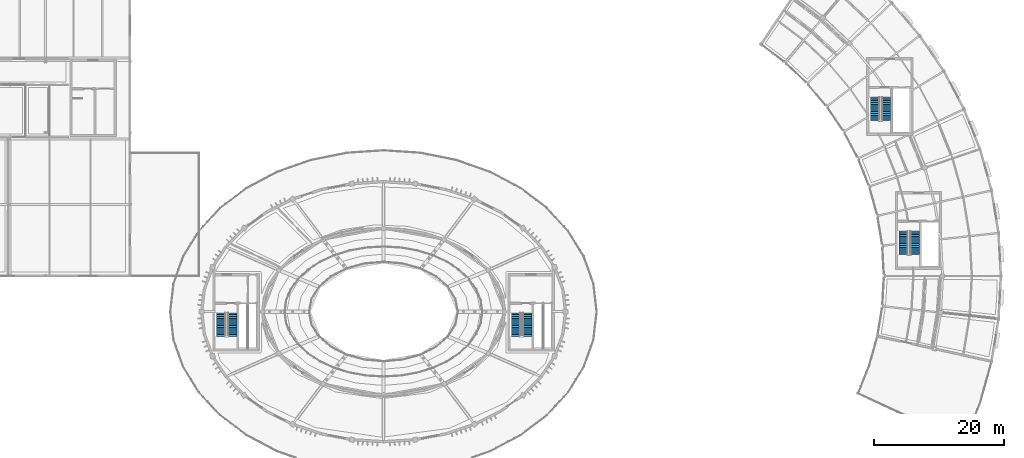
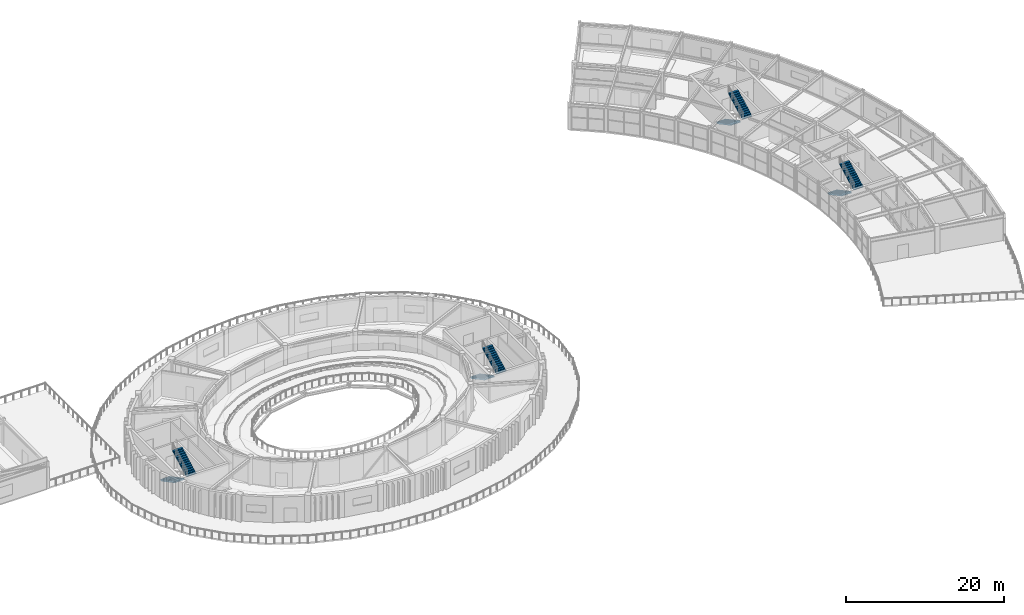
# One storey, part 51 of 63: 8 stair flights, 4 elements without a shape of their own.
"""IFC4 building model written with IfcOpenShell, lengths in metres."""

from ifc_helpers import new_model, si_unit, direction, frame, origin, place, context, subcontext, project, spatial, polyline, outline, extrude, material, type_object, element, aggregate, save


model = new_model("IFC4")

# Units and contexts
model_context = context("Model", 3, precision=1e-05, world=origin(), true_north=direction((0.0, 1.0)))
body_context = subcontext(model_context, "Body", "Model", "MODEL_VIEW")
ifc_project = project(units=[si_unit("LENGTHUNIT", "METRE"), si_unit("AREAUNIT", "SQUARE_METRE"), si_unit("VOLUMEUNIT", "CUBIC_METRE"), si_unit("PLANEANGLEUNIT", "RADIAN"), si_unit("MASSUNIT", "GRAM", prefix="KILO")], contexts=[model_context])

# Site, building, storey
site_placement = place(None, origin())
site = spatial("IfcSite", under=ifc_project, at=site_placement, CompositionType="ELEMENT")
building_placement = place(site_placement, origin())
building = spatial("IfcBuilding", under=site, at=building_placement, Name="Tarnveldt Headland Concert Hall", CompositionType="ELEMENT")
storey_placement = place(building_placement, frame((0.0, 0.0, 14.39990234375)))
storey = spatial("IfcBuildingStorey", under=building, at=storey_placement, Name="L03", CompositionType="ELEMENT", Elevation=14.39990234375)

# Stair, stair flights
ifc_material = material(Name="Concrete C40/50", Category="concrete")
stair_type = type_object("IfcStairType", Name="ST-CORE420", PredefinedType="HALF_TURN_STAIR", material=ifc_material)
stair_1_placement = place(storey_placement, origin())
stair_1 = element("IfcStair", 1, at=stair_1_placement, inside=storey, type_object=stair_type, Name="Exit stair STR-C1-L03", PredefinedType="HALF_TURN_STAIR")
stair_flight_type = type_object("IfcStairFlightType", Name="SF-140x150", PredefinedType="STRAIGHT", material=ifc_material)
stair_flight_1_placement = place(storey_placement, frame((58.489990234375, 54.320068359375, 0.0), z_axis=(0.0, 0.0, 1.0), x_axis=(0.0, -1.0, 0.0)))
stair_flight_1 = element("IfcStairFlight", 2, at=stair_flight_1_placement, type_object=stair_flight_type, Name="Stair flight STR-C1-L03-F1", NumberOfRisers=14, NumberOfTreads=13, PredefinedType="STRAIGHT", RiserHeight=0.15, TreadLength=0.28, context=body_context, shape_type="SweptSolid", body=[
    extrude(outline(polyline([(0.0, 0.0), (0.0, 0.14990234375), (0.280029296875, 0.14990234375), (0.280029296875, 0.300048828125), (0.56005859375, 0.300048828125), (0.56005859375, 0.449951171875), (0.840087890625, 0.449951171875), (0.840087890625, 0.60009765625), (1.1201171875, 0.60009765625), (1.1201171875, 0.75), (1.39990234375, 0.75), (1.39990234375, 0.89990234375), (1.679931640625, 0.89990234375), (1.679931640625, 1.050048828125), (1.9599609375, 1.050048828125), (1.9599609375, 1.199951171875), (2.239990234375, 1.199951171875), (2.239990234375, 1.35009765625), (2.52001953125, 1.35009765625), (2.52001953125, 1.5), (2.800048828125, 1.5), (2.800048828125, 1.64990234375), (3.080078125, 1.64990234375), (3.080078125, 1.800048828125), (3.360107421875, 1.800048828125), (3.360107421875, 1.949951171875), (3.639892578125, 1.949951171875), (3.639892578125, 2.10009765625), (3.639892578125, 1.7685546875), (0.338623046875, 0.0), (0.0, 0.0)])), frame((0.0, 0.699951171875, 0.0), z_axis=(0.0, -1.0, 0.0), x_axis=(1.0, 0.0, 0.0)), (0.0, 0.0, 1.0), 1.39990234375),
])
stair_flight_2_placement = place(storey_placement, frame((60.22998046875, 50.679931640625, 2.10009765625), z_axis=(0.0, 0.0, 1.0), x_axis=(0.0, 1.0, 0.0)))
stair_flight_2 = element("IfcStairFlight", 3, at=stair_flight_2_placement, type_object=stair_flight_type, Name="Stair flight STR-C1-L03-F2", NumberOfRisers=14, NumberOfTreads=13, PredefinedType="STRAIGHT", RiserHeight=0.15, TreadLength=0.28, context=body_context, shape_type="SweptSolid", body=[
    extrude(outline(polyline([(0.0, 0.0), (0.0, 0.14990234375), (0.280029296875, 0.14990234375), (0.280029296875, 0.300048828125), (0.56005859375, 0.300048828125), (0.56005859375, 0.449951171875), (0.840087890625, 0.449951171875), (0.840087890625, 0.60009765625), (1.1201171875, 0.60009765625), (1.1201171875, 0.75), (1.39990234375, 0.75), (1.39990234375, 0.89990234375), (1.679931640625, 0.89990234375), (1.679931640625, 1.050048828125), (1.9599609375, 1.050048828125), (1.9599609375, 1.199951171875), (2.239990234375, 1.199951171875), (2.239990234375, 1.35009765625), (2.52001953125, 1.35009765625), (2.52001953125, 1.5), (2.800048828125, 1.5), (2.800048828125, 1.64990234375), (3.080078125, 1.64990234375), (3.080078125, 1.800048828125), (3.360107421875, 1.800048828125), (3.360107421875, 1.949951171875), (3.639892578125, 1.949951171875), (3.639892578125, 2.10009765625), (3.639892578125, 1.7685546875), (0.338623046875, 0.0), (0.0, 0.0)])), frame((0.0, 0.699951171875, 0.0), z_axis=(0.0, -1.0, 0.0), x_axis=(1.0, 0.0, 0.0)), (0.0, 0.0, 1.0), 1.39990234375),
])
aggregate(stair_1, [stair_flight_1, stair_flight_2])

stair_2_placement = place(storey_placement, origin())
stair_2 = element("IfcStair", 4, at=stair_2_placement, inside=storey, type_object=stair_type, Name="Exit stair STR-C2-L03", PredefinedType="HALF_TURN_STAIR")
stair_flight_3_placement = place(storey_placement, frame((103.889892578125, 54.320068359375, 0.0), z_axis=(0.0, 0.0, 1.0), x_axis=(0.0, -1.0, 0.0)))
stair_flight_3 = element("IfcStairFlight", 5, at=stair_flight_3_placement, type_object=stair_flight_type, Name="Stair flight STR-C2-L03-F1", NumberOfRisers=14, NumberOfTreads=13, PredefinedType="STRAIGHT", RiserHeight=0.15, TreadLength=0.28, context=body_context, shape_type="SweptSolid", body=[
    extrude(outline(polyline([(0.0, 0.0), (0.0, 0.14990234375), (0.280029296875, 0.14990234375), (0.280029296875, 0.300048828125), (0.56005859375, 0.300048828125), (0.56005859375, 0.449951171875), (0.840087890625, 0.449951171875), (0.840087890625, 0.60009765625), (1.1201171875, 0.60009765625), (1.1201171875, 0.75), (1.39990234375, 0.75), (1.39990234375, 0.89990234375), (1.679931640625, 0.89990234375), (1.679931640625, 1.050048828125), (1.9599609375, 1.050048828125), (1.9599609375, 1.199951171875), (2.239990234375, 1.199951171875), (2.239990234375, 1.35009765625), (2.52001953125, 1.35009765625), (2.52001953125, 1.5), (2.800048828125, 1.5), (2.800048828125, 1.64990234375), (3.080078125, 1.64990234375), (3.080078125, 1.800048828125), (3.360107421875, 1.800048828125), (3.360107421875, 1.949951171875), (3.639892578125, 1.949951171875), (3.639892578125, 2.10009765625), (3.639892578125, 1.7685546875), (0.338623046875, 0.0), (0.0, 0.0)])), frame((0.0, 0.699951171875, 0.0), z_axis=(0.0, -1.0, 0.0), x_axis=(1.0, 0.0, 0.0)), (0.0, 0.0, 1.0), 1.39990234375),
])
stair_flight_4_placement = place(storey_placement, frame((105.6298828125, 50.679931640625, 2.10009765625), z_axis=(0.0, 0.0, 1.0), x_axis=(0.0, 1.0, 0.0)))
stair_flight_4 = element("IfcStairFlight", 6, at=stair_flight_4_placement, type_object=stair_flight_type, Name="Stair flight STR-C2-L03-F2", NumberOfRisers=14, NumberOfTreads=13, PredefinedType="STRAIGHT", RiserHeight=0.15, TreadLength=0.28, context=body_context, shape_type="SweptSolid", body=[
    extrude(outline(polyline([(0.0, 0.0), (0.0, 0.14990234375), (0.280029296875, 0.14990234375), (0.280029296875, 0.300048828125), (0.56005859375, 0.300048828125), (0.56005859375, 0.449951171875), (0.840087890625, 0.449951171875), (0.840087890625, 0.60009765625), (1.1201171875, 0.60009765625), (1.1201171875, 0.75), (1.39990234375, 0.75), (1.39990234375, 0.89990234375), (1.679931640625, 0.89990234375), (1.679931640625, 1.050048828125), (1.9599609375, 1.050048828125), (1.9599609375, 1.199951171875), (2.239990234375, 1.199951171875), (2.239990234375, 1.35009765625), (2.52001953125, 1.35009765625), (2.52001953125, 1.5), (2.800048828125, 1.5), (2.800048828125, 1.64990234375), (3.080078125, 1.64990234375), (3.080078125, 1.800048828125), (3.360107421875, 1.800048828125), (3.360107421875, 1.949951171875), (3.639892578125, 1.949951171875), (3.639892578125, 2.10009765625), (3.639892578125, 1.7685546875), (0.338623046875, 0.0), (0.0, 0.0)])), frame((0.0, 0.699951171875, 0.0), z_axis=(0.0, -1.0, 0.0), x_axis=(1.0, 0.0, 0.0)), (0.0, 0.0, 1.0), 1.39990234375),
])
aggregate(stair_2, [stair_flight_3, stair_flight_4])

stair_3_placement = place(storey_placement, origin())
stair_3 = element("IfcStair", 7, at=stair_3_placement, inside=storey, type_object=stair_type, Name="Exit stair STR-C3-L03", PredefinedType="HALF_TURN_STAIR")
stair_flight_5_placement = place(storey_placement, frame((159.090087890625, 87.52001953125, 0.0), z_axis=(0.0, 0.0, 1.0), x_axis=(0.0, -1.0, 0.0)))
stair_flight_5 = element("IfcStairFlight", 8, at=stair_flight_5_placement, type_object=stair_flight_type, Name="Stair flight STR-C3-L03-F1", NumberOfRisers=14, NumberOfTreads=13, PredefinedType="STRAIGHT", RiserHeight=0.15, TreadLength=0.28, context=body_context, shape_type="SweptSolid", body=[
    extrude(outline(polyline([(0.0, 0.0), (0.0, 0.14990234375), (0.280029296875, 0.14990234375), (0.280029296875, 0.300048828125), (0.56005859375, 0.300048828125), (0.56005859375, 0.449951171875), (0.840087890625, 0.449951171875), (0.840087890625, 0.60009765625), (1.1201171875, 0.60009765625), (1.1201171875, 0.75), (1.39990234375, 0.75), (1.39990234375, 0.89990234375), (1.679931640625, 0.89990234375), (1.679931640625, 1.050048828125), (1.9599609375, 1.050048828125), (1.9599609375, 1.199951171875), (2.239990234375, 1.199951171875), (2.239990234375, 1.35009765625), (2.52001953125, 1.35009765625), (2.52001953125, 1.5), (2.800048828125, 1.5), (2.800048828125, 1.64990234375), (3.080078125, 1.64990234375), (3.080078125, 1.800048828125), (3.360107421875, 1.800048828125), (3.360107421875, 1.949951171875), (3.639892578125, 1.949951171875), (3.639892578125, 2.10009765625), (3.639892578125, 1.7685546875), (0.338623046875, 0.0), (0.0, 0.0)])), frame((0.0, 0.699951171875, 0.0), z_axis=(0.0, -1.0, 0.0), x_axis=(1.0, 0.0, 0.0)), (0.0, 0.0, 1.0), 1.39990234375),
])
stair_flight_6_placement = place(storey_placement, frame((160.830078125, 83.8798828125, 2.10009765625), z_axis=(0.0, 0.0, 1.0), x_axis=(0.0, 1.0, 0.0)))
stair_flight_6 = element("IfcStairFlight", 9, at=stair_flight_6_placement, type_object=stair_flight_type, Name="Stair flight STR-C3-L03-F2", NumberOfRisers=14, NumberOfTreads=13, PredefinedType="STRAIGHT", RiserHeight=0.15, TreadLength=0.28, context=body_context, shape_type="SweptSolid", body=[
    extrude(outline(polyline([(0.0, 0.0), (0.0, 0.14990234375), (0.280029296875, 0.14990234375), (0.280029296875, 0.300048828125), (0.56005859375, 0.300048828125), (0.56005859375, 0.449951171875), (0.840087890625, 0.449951171875), (0.840087890625, 0.60009765625), (1.1201171875, 0.60009765625), (1.1201171875, 0.75), (1.39990234375, 0.75), (1.39990234375, 0.89990234375), (1.679931640625, 0.89990234375), (1.679931640625, 1.050048828125), (1.9599609375, 1.050048828125), (1.9599609375, 1.199951171875), (2.239990234375, 1.199951171875), (2.239990234375, 1.35009765625), (2.52001953125, 1.35009765625), (2.52001953125, 1.5), (2.800048828125, 1.5), (2.800048828125, 1.64990234375), (3.080078125, 1.64990234375), (3.080078125, 1.800048828125), (3.360107421875, 1.800048828125), (3.360107421875, 1.949951171875), (3.639892578125, 1.949951171875), (3.639892578125, 2.10009765625), (3.639892578125, 1.7685546875), (0.338623046875, 0.0), (0.0, 0.0)])), frame((0.0, 0.699951171875, 0.0), z_axis=(0.0, -1.0, 0.0), x_axis=(1.0, 0.0, 0.0)), (0.0, 0.0, 1.0), 1.39990234375),
])
aggregate(stair_3, [stair_flight_5, stair_flight_6])

stair_4_placement = place(storey_placement, origin())
stair_4 = element("IfcStair", 10, at=stair_4_placement, inside=storey, type_object=stair_type, Name="Exit stair STR-C4-L03", PredefinedType="HALF_TURN_STAIR")
stair_flight_7_placement = place(storey_placement, frame((163.489990234375, 66.919921875, 0.0), z_axis=(0.0, 0.0, 1.0), x_axis=(0.0, -1.0, 0.0)))
stair_flight_7 = element("IfcStairFlight", 11, at=stair_flight_7_placement, type_object=stair_flight_type, Name="Stair flight STR-C4-L03-F1", NumberOfRisers=14, NumberOfTreads=13, PredefinedType="STRAIGHT", RiserHeight=0.15, TreadLength=0.28, context=body_context, shape_type="SweptSolid", body=[
    extrude(outline(polyline([(0.0, 0.0), (0.0, 0.14990234375), (0.280029296875, 0.14990234375), (0.280029296875, 0.300048828125), (0.56005859375, 0.300048828125), (0.56005859375, 0.449951171875), (0.840087890625, 0.449951171875), (0.840087890625, 0.60009765625), (1.1201171875, 0.60009765625), (1.1201171875, 0.75), (1.39990234375, 0.75), (1.39990234375, 0.89990234375), (1.679931640625, 0.89990234375), (1.679931640625, 1.050048828125), (1.9599609375, 1.050048828125), (1.9599609375, 1.199951171875), (2.239990234375, 1.199951171875), (2.239990234375, 1.35009765625), (2.52001953125, 1.35009765625), (2.52001953125, 1.5), (2.800048828125, 1.5), (2.800048828125, 1.64990234375), (3.080078125, 1.64990234375), (3.080078125, 1.800048828125), (3.360107421875, 1.800048828125), (3.360107421875, 1.949951171875), (3.639892578125, 1.949951171875), (3.639892578125, 2.10009765625), (3.639892578125, 1.7685546875), (0.338623046875, 0.0), (0.0, 0.0)])), frame((0.0, 0.699951171875, 0.0), z_axis=(0.0, -1.0, 0.0), x_axis=(1.0, 0.0, 0.0)), (0.0, 0.0, 1.0), 1.39990234375),
])
stair_flight_8_placement = place(storey_placement, frame((165.22998046875, 63.280029296875, 2.10009765625), z_axis=(0.0, 0.0, 1.0), x_axis=(0.0, 1.0, 0.0)))
stair_flight_8 = element("IfcStairFlight", 12, at=stair_flight_8_placement, type_object=stair_flight_type, Name="Stair flight STR-C4-L03-F2", NumberOfRisers=14, NumberOfTreads=13, PredefinedType="STRAIGHT", RiserHeight=0.15, TreadLength=0.28, context=body_context, shape_type="SweptSolid", body=[
    extrude(outline(polyline([(0.0, 0.0), (0.0, 0.14990234375), (0.280029296875, 0.14990234375), (0.280029296875, 0.300048828125), (0.56005859375, 0.300048828125), (0.56005859375, 0.449951171875), (0.840087890625, 0.449951171875), (0.840087890625, 0.60009765625), (1.1201171875, 0.60009765625), (1.1201171875, 0.75), (1.39990234375, 0.75), (1.39990234375, 0.89990234375), (1.679931640625, 0.89990234375), (1.679931640625, 1.050048828125), (1.9599609375, 1.050048828125), (1.9599609375, 1.199951171875), (2.239990234375, 1.199951171875), (2.239990234375, 1.35009765625), (2.52001953125, 1.35009765625), (2.52001953125, 1.5), (2.800048828125, 1.5), (2.800048828125, 1.64990234375), (3.080078125, 1.64990234375), (3.080078125, 1.800048828125), (3.360107421875, 1.800048828125), (3.360107421875, 1.949951171875), (3.639892578125, 1.949951171875), (3.639892578125, 2.10009765625), (3.639892578125, 1.7685546875), (0.338623046875, 0.0), (0.0, 0.0)])), frame((0.0, 0.699951171875, 0.0), z_axis=(0.0, -1.0, 0.0), x_axis=(1.0, 0.0, 0.0)), (0.0, 0.0, 1.0), 1.39990234375),
])
aggregate(stair_4, [stair_flight_7, stair_flight_8])

save(model, "model.ifc")
